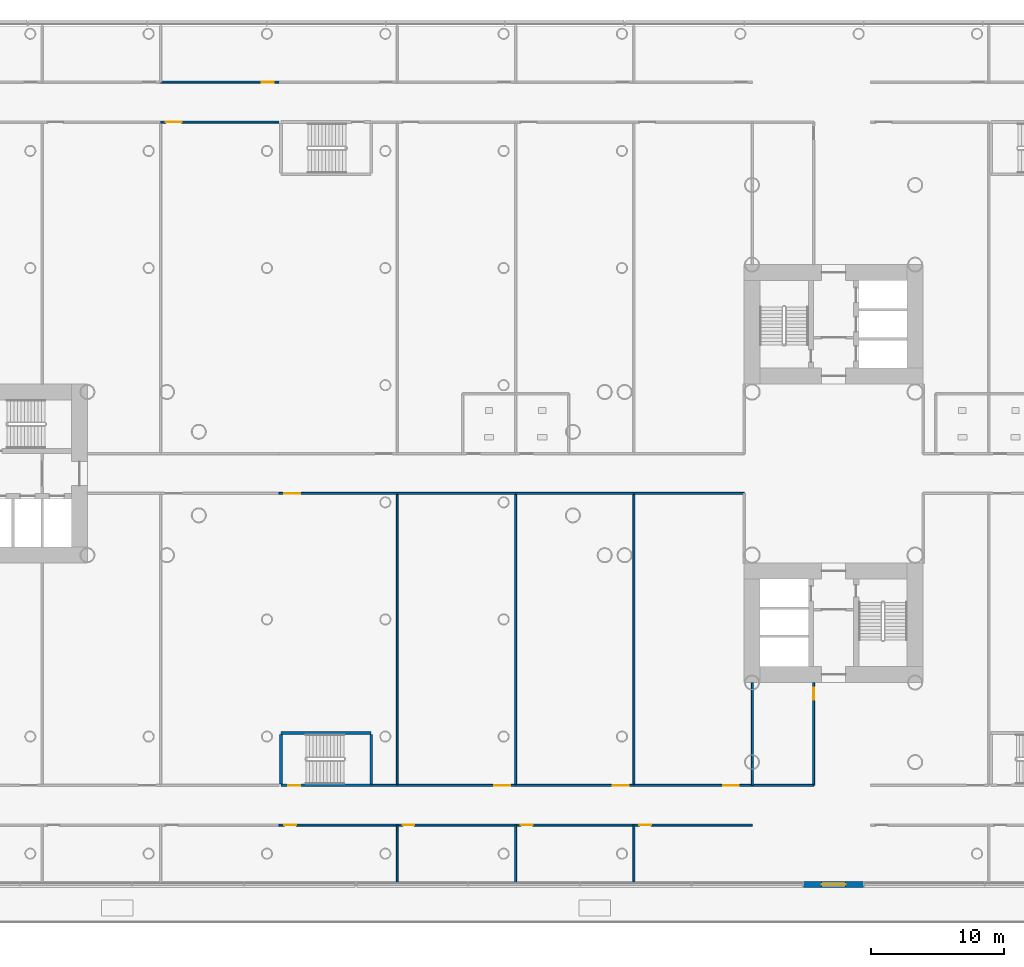
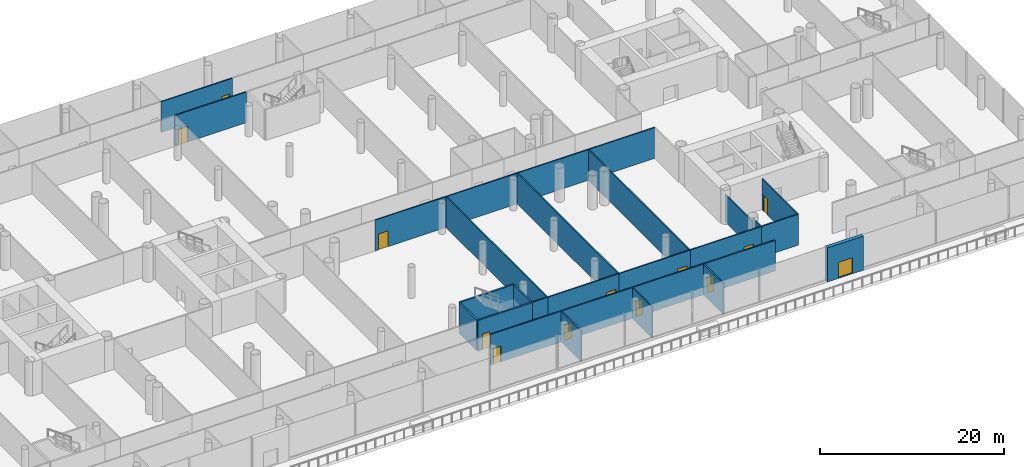
# One storey, part 20 of 49: 29 walls, 13 doors, 13 openings.
"""IFC4 building model written with IfcOpenShell, lengths in metres."""

import ifcopenshell
import ifcopenshell.guid

model = None  # the IFC model being written
_history = None  # IfcOwnerHistory: only IFC2X3 demands one
_inside = {}  # id of a spatial element -> (the spatial element, [elements in it])
_under = {}  # id of a project, library or spatial element -> (it, [spatial elements below it])
_declared = {}  # id of a project -> (the project, [libraries it declares])
_typed = {}  # id of a type object -> (the type object, [elements of that type])
_made_of = {}  # id of a material, layer set ... -> (it, [elements and type objects made of it])


def new_model(schema):
    """Start an empty IFC model of exactly this schema.

    Asked for "IFC4X3", IfcOpenShell would pick the latest addendum, in which some entities
    have other attributes; the version numbers below select the first issue.
    IFC2X3 requires an IfcOwnerHistory on every rooted entity: one is made here for all.
    """
    global model, _history
    if schema == "IFC4X3":
        model = ifcopenshell.file(schema_version=(4, 3, 0, 0))
    else:
        model = ifcopenshell.file(schema=schema)
    _inside.clear()
    _under.clear()
    _declared.clear()
    _typed.clear()
    _made_of.clear()
    _history = None
    if model.schema == "IFC2X3":
        org = make("IfcOrganization", Name="unknown")
        user = make(
            "IfcPersonAndOrganization",
            ThePerson=make("IfcPerson", FamilyName="unknown"),
            TheOrganization=org,
        )
        app = make(
            "IfcApplication",
            ApplicationDeveloper=org,
            Version="unknown",
            ApplicationFullName="unknown",
            ApplicationIdentifier="unknown",
        )
        _history = make(
            "IfcOwnerHistory",
            OwningUser=user,
            OwningApplication=app,
            ChangeAction="ADDED",
            CreationDate=0,
        )
    return model


def make(cls, **values):
    """One entity of the class cls with the attributes given. An attribute that is None is left unset."""
    return model.create_entity(
        cls, **{name: value for name, value in values.items() if value is not None}
    )


def rooted(cls, **values):
    """An entity with a GlobalId (a new one), such as an element, a storey or a relation."""
    return make(cls, GlobalId=ifcopenshell.guid.new(), OwnerHistory=_history, **values)


def si_unit(unit_type, name, prefix=None):
    """IfcSIUnit, for example si_unit("LENGTHUNIT", "METRE", prefix="MILLI")."""
    return make("IfcSIUnit", UnitType=unit_type, Prefix=prefix, Name=name)


def assignment(units):
    """IfcUnitAssignment: the units of a project."""
    return None if units is None else make("IfcUnitAssignment", Units=units)


def point(xyz):
    """IfcCartesianPoint."""
    return None if xyz is None else make("IfcCartesianPoint", Coordinates=xyz)


def direction(xyz):
    """IfcDirection."""
    return None if xyz is None else make("IfcDirection", DirectionRatios=xyz)


def frame(location, z_axis=None, x_axis=None):
    """IfcAxis2Placement3D, a coordinate frame: its origin and axes. An axis left out is left unset."""
    return make(
        "IfcAxis2Placement3D",
        Location=point(location),
        Axis=direction(z_axis),
        RefDirection=direction(x_axis),
    )


def frame_2d(location, x_axis=None):
    """IfcAxis2Placement2D, a coordinate frame in the plane: its origin and x axis."""
    return make(
        "IfcAxis2Placement2D", Location=point(location), RefDirection=direction(x_axis)
    )


def origin():
    """The frame at (0, 0, 0) with its axes left unset."""
    return frame((0.0, 0.0, 0.0))


def place(relative_to, where):
    """IfcLocalPlacement: puts the frame where relative to a parent placement (None: the world)."""
    return make(
        "IfcLocalPlacement", PlacementRelTo=relative_to, RelativePlacement=where
    )


def context(
    kind, dimensions, precision=None, world=None, true_north=None, identifier=None
):
    """IfcGeometricRepresentationContext, for example the 3D "Model" context."""
    return make(
        "IfcGeometricRepresentationContext",
        ContextIdentifier=identifier,
        ContextType=kind,
        CoordinateSpaceDimension=dimensions,
        Precision=precision,
        WorldCoordinateSystem=world,
        TrueNorth=true_north,
    )


def subcontext(parent, identifier, kind, view, scale=None):
    """IfcGeometricRepresentationSubContext, for example "Body" below "Model"."""
    return make(
        "IfcGeometricRepresentationSubContext",
        ContextIdentifier=identifier,
        ContextType=kind,
        ParentContext=parent,
        TargetScale=scale,
        TargetView=view,
    )


def project(units=None, contexts=None):
    """IfcProject with its units and contexts."""
    return rooted(
        "IfcProject",
        Name="project",
        RepresentationContexts=contexts,
        UnitsInContext=assignment(units),
    )


def spatial(cls, under=None, at=None, **own):
    """A site, building, storey or space (cls), placed at a placement, below another one or the project."""
    s = rooted(cls, ObjectPlacement=at, **own)
    if under is not None:
        _under.setdefault(under.id(), (under, []))[1].append(s)
    return s


def profile(cls, at=None, kind="AREA", **sizes):
    """A parametric profile (cls). Its sizes go by their IFC names, for example OverallWidth=200.0."""
    return make(cls, ProfileType=kind, Position=at, **sizes)


def rectangle(**sizes):
    """IfcRectangleProfileDef."""
    return profile("IfcRectangleProfileDef", **sizes)


def extrude(swept, where, along, depth):
    """IfcExtrudedAreaSolid: the profile swept, set in the frame where, extruded along a direction by depth."""
    return make(
        "IfcExtrudedAreaSolid",
        SweptArea=swept,
        Position=where,
        ExtrudedDirection=direction(along),
        Depth=depth,
    )


def shape(context_of_items, identifier, shape_type, items):
    """IfcShapeRepresentation: the items that make up one representation, for example the "Body"."""
    return make(
        "IfcShapeRepresentation",
        ContextOfItems=context_of_items,
        RepresentationIdentifier=identifier,
        RepresentationType=shape_type,
        Items=items,
    )


def material(Name=None, Category=None):
    """IfcMaterial."""
    return make("IfcMaterial", Name=Name, Category=Category)


def layer(
    of_material, thickness, ventilated=None, Name=None, Category=None, Priority=None
):
    """IfcMaterialLayer: one layer of a wall or slab, of a material (None: an air gap)."""
    return make(
        "IfcMaterialLayer",
        Material=of_material,
        LayerThickness=thickness,
        IsVentilated=ventilated,
        Name=Name,
        Category=Category,
        Priority=Priority,
    )


def layer_set(layers, Name=None):
    """IfcMaterialLayerSet."""
    return make("IfcMaterialLayerSet", MaterialLayers=layers, LayerSetName=Name)


def made_of(thing, what):
    """Note that an element or type object is made of a material, layer set ...; save() writes the relation."""
    if what is not None:
        _made_of.setdefault(what.id(), (what, []))[1].append(thing)
    return thing


def type_object(cls, material=None, **own):
    """A type object (cls), such as IfcWallType, which elements share."""
    return made_of(rooted(cls, **own), material)


def element(
    cls,
    number,
    at=None,
    inside=None,
    cuts=None,
    type_object=None,
    material=None,
    context=None,
    identifier="Body",
    shape_type=None,
    held_by="IfcProductDefinitionShape",
    body=None,
    shapes=None,
    **own,
):
    """One element of the class cls, such as IfcWall. Its Tag is "e" and its number.

    at: its placement. inside: the storey or other place that contains it. cuts: it is an
    opening in that element (IfcRelVoidsElement). A single representation is given by context,
    identifier, shape_type and body (its items); several are given by shapes. held_by: the class
    of the entity that holds the representations. save() writes the other relations.
    """
    e = rooted(cls, Tag="e%d" % number, ObjectPlacement=at, **own)
    if body is not None:
        shapes = [shape(context, identifier, shape_type, body)]
    if shapes is not None:
        e.Representation = make(held_by, Representations=shapes)
    if inside is not None:
        _inside.setdefault(inside.id(), (inside, []))[1].append(e)
    if cuts is not None:
        rooted(
            "IfcRelVoidsElement", RelatingBuildingElement=cuts, RelatedOpeningElement=e
        )
    if type_object is not None:
        _typed.setdefault(type_object.id(), (type_object, []))[1].append(e)
    return made_of(e, material)


def fill(opening, filler):
    """IfcRelFillsElement: the door or window that sits in an opening."""
    return rooted(
        "IfcRelFillsElement",
        RelatingOpeningElement=opening,
        RelatedBuildingElement=filler,
    )


def aggregate(whole, parts):
    """IfcRelAggregates: a whole, such as a stair, and the parts it consists of."""
    return rooted("IfcRelAggregates", RelatingObject=whole, RelatedObjects=parts)


def save(model, path):
    """Write the relations noted so far, then the file.

    IfcRelAggregates (storeys below a building ...), IfcRelContainedInSpatialStructure (elements
    in a storey), IfcRelDefinesByType, IfcRelAssociatesMaterial and IfcRelDeclares: one each for
    every whole, place, type object, material and project.
    """
    for whole, parts in _under.values():
        aggregate(whole, parts)
    for where, things in _inside.values():
        rooted(
            "IfcRelContainedInSpatialStructure",
            RelatedElements=things,
            RelatingStructure=where,
        )
    for kind, things in _typed.values():
        rooted("IfcRelDefinesByType", RelatedObjects=things, RelatingType=kind)
    for what, things in _made_of.values():
        rooted("IfcRelAssociatesMaterial", RelatedObjects=things, RelatingMaterial=what)
    for by, libraries in _declared.values():
        rooted("IfcRelDeclares", RelatingContext=by, RelatedDefinitions=libraries)
    model.write(path)


model = new_model("IFC4")

# Units and contexts
model_context = context("Model", 3, precision=1e-05, world=origin(), true_north=direction((0.0, 1.0)))
body_context = subcontext(model_context, "Body", "Model", "MODEL_VIEW")
ifc_project = project(units=[si_unit("LENGTHUNIT", "METRE"), si_unit("AREAUNIT", "SQUARE_METRE"), si_unit("VOLUMEUNIT", "CUBIC_METRE"), si_unit("PLANEANGLEUNIT", "RADIAN"), si_unit("MASSUNIT", "GRAM", prefix="KILO")], contexts=[model_context])

# Site, building, storey
site_placement = place(None, origin())
site = spatial("IfcSite", under=ifc_project, at=site_placement, CompositionType="ELEMENT")
building_placement = place(site_placement, origin())
building = spatial("IfcBuilding", under=site, at=building_placement, Name="Ipe Terrace Towers", CompositionType="ELEMENT")
storey_placement = place(building_placement, frame((0.0, 0.0, 20.0)))
storey = spatial("IfcBuildingStorey", under=building, at=storey_placement, Name="L04", CompositionType="ELEMENT", Elevation=20.0)

# Wall, opening, door
ifc_material_1 = material(Name="Gypsum board partition", Category="plasterboard")
ifc_layer_1 = layer(ifc_material_1, 0.14990234375)
ifc_layer_set_1 = layer_set([ifc_layer_1], Name="Gypsum board partition 150 mm")
wall_type_1 = type_object("IfcWallType", Name="Gypsum board partition 150 mm", PredefinedType="PARTITIONING", material=ifc_layer_set_1)
wall_1_placement = place(storey_placement, frame((-14.72998046875, 26.5, 0.0), z_axis=(0.0, 0.0, 1.0), x_axis=(1.0, 0.0, 0.0)))
wall_1 = element("IfcWall", 1, at=wall_1_placement, inside=storey, type_object=wall_type_1, Name="Gypsum board partition T1 L04 pd-r26-w64", PredefinedType="PARTITIONING", context=body_context, shape_type="SweptSolid", body=[
    extrude(rectangle(XDim=8.919921875, YDim=0.14990234375, at=frame_2d((4.4599609375, 0.0))), origin(), (0.0, 0.0, 1.0), 4.074951171875),
])
opening_1_placement = place(wall_1_placement, frame((0.39990234375, 0.0, 0.0)))
opening_1 = element("IfcOpeningElement", 2, at=opening_1_placement, cuts=wall_1, Name="Opening PD-L04-r26", PredefinedType="OPENING", context=body_context, shape_type="SweptSolid", body=[
    extrude(rectangle(XDim=1.199951171875, YDim=2.10009765625, at=frame_2d((0.60009765625, 1.050048828125))), frame((0.0, 0.0849609375, 0.0), z_axis=(0.0, -1.0, 0.0), x_axis=(1.0, 0.0, 0.0)), (0.0, 0.0, 1.0), 0.169921875),
])
ifc_material_2 = material(Name="Fire-rated timber door leaf", Category="wood")
door_type_1 = type_object("IfcDoorType", Name="Lounge door 1200 x 2100 FD30S", OperationType="NOTDEFINED", PredefinedType="DOOR", material=ifc_material_2)
door_1_placement = place(opening_1_placement, origin())
door_1 = element("IfcDoor", 3, at=door_1_placement, inside=storey, type_object=door_type_1, Name="Lounge door PD-L04-r26", OperationType="SINGLE_SWING_RIGHT", OverallHeight=2.10009765625, OverallWidth=1.199951171875, PredefinedType="DOOR", context=body_context, shape_type="SweptSolid", body=[
    extrude(rectangle(XDim=1.199951171875, YDim=2.10009765625, at=frame_2d((0.60009765625, 1.050048828125))), frame((0.0, 0.02490234375, 0.0), z_axis=(0.0, -1.0, 0.0), x_axis=(1.0, 0.0, 0.0)), (0.0, 0.0, 1.0), 0.050048828125),
])
fill(opening_1, door_1)

wall_2_placement = place(storey_placement, frame((-5.81005859375, 29.5, 0.0), z_axis=(0.0, 0.0, 1.0), x_axis=(-1.0, 0.0, 0.0)))
wall_2 = element("IfcWall", 4, at=wall_2_placement, inside=storey, type_object=wall_type_1, Name="Gypsum board partition T1 L04 pd-r27-w66", PredefinedType="PARTITIONING", context=body_context, shape_type="SweptSolid", body=[
    extrude(rectangle(XDim=8.919921875, YDim=0.14990234375, at=frame_2d((4.4599609375, 0.0))), origin(), (0.0, 0.0, 1.0), 4.074951171875),
])
opening_2_placement = place(wall_2_placement, frame((0.39990234375, 0.0, 0.0)))
opening_2 = element("IfcOpeningElement", 5, at=opening_2_placement, cuts=wall_2, Name="Opening PD-L04-r27", PredefinedType="OPENING", context=body_context, shape_type="SweptSolid", body=[
    extrude(rectangle(XDim=0.89990234375, YDim=2.10009765625, at=frame_2d((0.449951171875, 1.050048828125))), frame((0.0, 0.0849609375, 0.0), z_axis=(0.0, -1.0, 0.0), x_axis=(1.0, 0.0, 0.0)), (0.0, 0.0, 1.0), 0.169921875),
])
ifc_material_3 = material(Name="Fire-rated timber door leaf", Category="wood")
door_type_2 = type_object("IfcDoorType", Name="Lounge door 900 x 2100 FD30S", OperationType="NOTDEFINED", PredefinedType="DOOR", material=ifc_material_3)
door_2_placement = place(opening_2_placement, origin())
door_2 = element("IfcDoor", 6, at=door_2_placement, inside=storey, type_object=door_type_2, Name="Lounge door PD-L04-r27", OperationType="SINGLE_SWING_RIGHT", OverallHeight=2.10009765625, OverallWidth=0.89990234375, PredefinedType="DOOR", context=body_context, shape_type="SweptSolid", body=[
    extrude(rectangle(XDim=0.89990234375, YDim=2.10009765625, at=frame_2d((0.449951171875, 1.050048828125))), frame((0.0, 0.02490234375, 0.0), z_axis=(0.0, -1.0, 0.0), x_axis=(1.0, 0.0, 0.0)), (0.0, 0.0, 1.0), 0.050048828125),
])
fill(opening_2, door_2)

wall_3_placement = place(storey_placement, frame((-5.81005859375, -26.5, 0.0), z_axis=(0.0, 0.0, 1.0), x_axis=(1.0, 0.0, 0.0)))
wall_3 = element("IfcWall", 7, at=wall_3_placement, inside=storey, type_object=wall_type_1, Name="Gypsum board partition T2 L04 pd-r28-w0", PredefinedType="PARTITIONING", context=body_context, shape_type="SweptSolid", body=[
    extrude(rectangle(XDim=8.920166015625, YDim=0.14990234375, at=frame_2d((4.4599609375, 0.0))), origin(), (0.0, 0.0, 1.0), 4.074951171875),
])
opening_3_placement = place(wall_3_placement, frame((0.39990234375, 0.0, 0.0)))
opening_3 = element("IfcOpeningElement", 8, at=opening_3_placement, cuts=wall_3, Name="Opening PD-L04-r28", PredefinedType="OPENING", context=body_context, shape_type="SweptSolid", body=[
    extrude(rectangle(XDim=0.89990234375, YDim=2.10009765625, at=frame_2d((0.449951171875, 1.050048828125))), frame((0.0, 0.0849609375, 0.0), z_axis=(0.0, -1.0, 0.0), x_axis=(1.0, 0.0, 0.0)), (0.0, 0.0, 1.0), 0.169921875),
])
door_3_placement = place(opening_3_placement, origin())
door_3 = element("IfcDoor", 9, at=door_3_placement, inside=storey, type_object=door_type_2, Name="Lounge door PD-L04-r28", OperationType="SINGLE_SWING_RIGHT", OverallHeight=2.10009765625, OverallWidth=0.89990234375, PredefinedType="DOOR", context=body_context, shape_type="SweptSolid", body=[
    extrude(rectangle(XDim=0.89990234375, YDim=2.10009765625, at=frame_2d((0.449951171875, 1.050048828125))), frame((0.0, 0.02490234375, 0.0), z_axis=(0.0, -1.0, 0.0), x_axis=(1.0, 0.0, 0.0)), (0.0, 0.0, 1.0), 0.050048828125),
])
fill(opening_3, door_3)

# Wall
wall_4_placement = place(storey_placement, frame((3.110107421875, -26.5, 0.0), z_axis=(0.0, 0.0, 1.0), x_axis=(0.0, -1.0, 0.0)))
element("IfcWall", 10, at=wall_4_placement, inside=storey, type_object=wall_type_1, Name="Gypsum board partition T2 L04 pd-r28-r33-w1", PredefinedType="PARTITIONING", context=body_context, shape_type="SweptSolid", body=[
    extrude(rectangle(XDim=4.35009765625, YDim=0.14990234375, at=frame_2d((2.175048828125, 0.0))), origin(), (0.0, 0.0, 1.0), 4.074951171875),
])

# Wall, opening, door
wall_5_placement = place(storey_placement, frame((-5.81005859375, -1.5, 0.0), z_axis=(0.0, 0.0, 1.0), x_axis=(1.0, 0.0, 0.0)))
wall_5 = element("IfcWall", 11, at=wall_5_placement, inside=storey, type_object=wall_type_1, Name="Gypsum board partition T2 L04 pd-r30-w4", PredefinedType="PARTITIONING", context=body_context, shape_type="SweptSolid", body=[
    extrude(rectangle(XDim=8.920166015625, YDim=0.14990234375, at=frame_2d((4.4599609375, 0.0))), origin(), (0.0, 0.0, 1.0), 4.074951171875),
])
opening_4_placement = place(wall_5_placement, frame((0.39990234375, 0.0, 0.0)))
opening_4 = element("IfcOpeningElement", 12, at=opening_4_placement, cuts=wall_5, Name="Opening PD-L04-r30", PredefinedType="OPENING", context=body_context, shape_type="SweptSolid", body=[
    extrude(rectangle(XDim=1.199951171875, YDim=2.10009765625, at=frame_2d((0.60009765625, 1.050048828125))), frame((0.0, 0.0849609375, 0.0), z_axis=(0.0, -1.0, 0.0), x_axis=(1.0, 0.0, 0.0)), (0.0, 0.0, 1.0), 0.169921875),
])
door_4_placement = place(opening_4_placement, origin())
door_4 = element("IfcDoor", 13, at=door_4_placement, inside=storey, type_object=door_type_1, Name="Lounge door PD-L04-r30", OperationType="SINGLE_SWING_RIGHT", OverallHeight=2.10009765625, OverallWidth=1.199951171875, PredefinedType="DOOR", context=body_context, shape_type="SweptSolid", body=[
    extrude(rectangle(XDim=1.199951171875, YDim=2.10009765625, at=frame_2d((0.60009765625, 1.050048828125))), frame((0.0, 0.02490234375, 0.0), z_axis=(0.0, -1.0, 0.0), x_axis=(1.0, 0.0, 0.0)), (0.0, 0.0, 1.0), 0.050048828125),
])
fill(opening_4, door_4)

# Walls
wall_6_placement = place(storey_placement, frame((3.110107421875, -23.5, 0.0), z_axis=(0.0, 0.0, 1.0), x_axis=(-1.0, 0.0, 0.0)))
element("IfcWall", 14, at=wall_6_placement, inside=storey, type_object=wall_type_1, Name="Gypsum board partition T2 L04 pd-r30-w5", PredefinedType="PARTITIONING", context=body_context, shape_type="SweptSolid", body=[
    extrude(rectangle(XDim=1.960205078125, YDim=0.14990234375, at=frame_2d((0.97998046875, 0.0))), origin(), (0.0, 0.0, 1.0), 4.074951171875),
])
wall_7_placement = place(storey_placement, frame((3.110107421875, -1.5, 0.0), z_axis=(0.0, 0.0, 1.0), x_axis=(0.0, -1.0, 0.0)))
element("IfcWall", 15, at=wall_7_placement, inside=storey, type_object=wall_type_1, Name="Gypsum board partition T2 L04 pd-r30-r34-w6", PredefinedType="PARTITIONING", context=body_context, shape_type="SweptSolid", body=[
    extrude(rectangle(XDim=22.0, YDim=0.14990234375, at=frame_2d((11.0, 0.0))), origin(), (0.0, 0.0, 1.0), 4.074951171875),
])

# Wall, opening, door
wall_8_placement = place(storey_placement, frame((3.110107421875, -26.5, 0.0), z_axis=(0.0, 0.0, 1.0), x_axis=(1.0, 0.0, 0.0)))
wall_8 = element("IfcWall", 16, at=wall_8_placement, inside=storey, type_object=wall_type_1, Name="Gypsum board partition T2 L04 pd-r33-w13", PredefinedType="PARTITIONING", context=body_context, shape_type="SweptSolid", body=[
    extrude(rectangle(XDim=8.919921875, YDim=0.14990234375, at=frame_2d((4.4599609375, 0.0))), origin(), (0.0, 0.0, 1.0), 4.074951171875),
])
opening_5_placement = place(wall_8_placement, frame((0.39990234375, 0.0, 0.0)))
opening_5 = element("IfcOpeningElement", 17, at=opening_5_placement, cuts=wall_8, Name="Opening PD-L04-r33", PredefinedType="OPENING", context=body_context, shape_type="SweptSolid", body=[
    extrude(rectangle(XDim=0.89990234375, YDim=2.10009765625, at=frame_2d((0.449951171875, 1.050048828125))), frame((0.0, 0.0849609375, 0.0), z_axis=(0.0, -1.0, 0.0), x_axis=(1.0, 0.0, 0.0)), (0.0, 0.0, 1.0), 0.169921875),
])
door_5_placement = place(opening_5_placement, origin())
door_5 = element("IfcDoor", 18, at=door_5_placement, inside=storey, type_object=door_type_2, Name="Lounge door PD-L04-r33", OperationType="SINGLE_SWING_RIGHT", OverallHeight=2.10009765625, OverallWidth=0.89990234375, PredefinedType="DOOR", context=body_context, shape_type="SweptSolid", body=[
    extrude(rectangle(XDim=0.89990234375, YDim=2.10009765625, at=frame_2d((0.449951171875, 1.050048828125))), frame((0.0, 0.02490234375, 0.0), z_axis=(0.0, -1.0, 0.0), x_axis=(1.0, 0.0, 0.0)), (0.0, 0.0, 1.0), 0.050048828125),
])
fill(opening_5, door_5)

# Wall
wall_9_placement = place(storey_placement, frame((12.030029296875, -26.5, 0.0), z_axis=(0.0, 0.0, 1.0), x_axis=(0.0, -1.0, 0.0)))
element("IfcWall", 19, at=wall_9_placement, inside=storey, type_object=wall_type_1, Name="Gypsum board partition T2 L04 pd-r33-r36-w14", PredefinedType="PARTITIONING", context=body_context, shape_type="SweptSolid", body=[
    extrude(rectangle(XDim=4.35009765625, YDim=0.14990234375, at=frame_2d((2.175048828125, 0.0))), origin(), (0.0, 0.0, 1.0), 4.074951171875),
])

# Wall, opening, door
wall_10_placement = place(storey_placement, frame((12.030029296875, -23.5, 0.0), z_axis=(0.0, 0.0, 1.0), x_axis=(-1.0, 0.0, 0.0)))
wall_10 = element("IfcWall", 20, at=wall_10_placement, inside=storey, type_object=wall_type_1, Name="Gypsum board partition T2 L04 pd-r34-w15", PredefinedType="PARTITIONING", context=body_context, shape_type="SweptSolid", body=[
    extrude(rectangle(XDim=8.919921875, YDim=0.14990234375, at=frame_2d((4.4599609375, 0.0))), origin(), (0.0, 0.0, 1.0), 4.074951171875),
])
opening_6_placement = place(wall_10_placement, frame((0.39990234375, 0.0, 0.0)))
opening_6 = element("IfcOpeningElement", 21, at=opening_6_placement, cuts=wall_10, Name="Opening PD-L04-r34", PredefinedType="OPENING", context=body_context, shape_type="SweptSolid", body=[
    extrude(rectangle(XDim=1.199951171875, YDim=2.10009765625, at=frame_2d((0.60009765625, 1.050048828125))), frame((0.0, 0.0849609375, 0.0), z_axis=(0.0, -1.0, 0.0), x_axis=(1.0, 0.0, 0.0)), (0.0, 0.0, 1.0), 0.169921875),
])
door_6_placement = place(opening_6_placement, origin())
door_6 = element("IfcDoor", 22, at=door_6_placement, inside=storey, type_object=door_type_1, Name="Lounge door PD-L04-r34", OperationType="SINGLE_SWING_RIGHT", OverallHeight=2.10009765625, OverallWidth=1.199951171875, PredefinedType="DOOR", context=body_context, shape_type="SweptSolid", body=[
    extrude(rectangle(XDim=1.199951171875, YDim=2.10009765625, at=frame_2d((0.60009765625, 1.050048828125))), frame((0.0, 0.02490234375, 0.0), z_axis=(0.0, -1.0, 0.0), x_axis=(1.0, 0.0, 0.0)), (0.0, 0.0, 1.0), 0.050048828125),
])
fill(opening_6, door_6)

# Walls
wall_11_placement = place(storey_placement, frame((3.110107421875, -1.5, 0.0), z_axis=(0.0, 0.0, 1.0), x_axis=(1.0, 0.0, 0.0)))
element("IfcWall", 23, at=wall_11_placement, inside=storey, type_object=wall_type_1, Name="Gypsum board partition T2 L04 pd-r34-w16", PredefinedType="PARTITIONING", context=body_context, shape_type="SweptSolid", body=[
    extrude(rectangle(XDim=8.919921875, YDim=0.14990234375, at=frame_2d((4.4599609375, 0.0))), origin(), (0.0, 0.0, 1.0), 4.074951171875),
])
wall_12_placement = place(storey_placement, frame((12.030029296875, -1.5, 0.0), z_axis=(0.0, 0.0, 1.0), x_axis=(0.0, -1.0, 0.0)))
element("IfcWall", 24, at=wall_12_placement, inside=storey, type_object=wall_type_1, Name="Gypsum board partition T2 L04 pd-r34-r37-w17", PredefinedType="PARTITIONING", context=body_context, shape_type="SweptSolid", body=[
    extrude(rectangle(XDim=22.0, YDim=0.14990234375, at=frame_2d((11.0, 0.0))), origin(), (0.0, 0.0, 1.0), 4.074951171875),
])

# Wall, opening, door
wall_13_placement = place(storey_placement, frame((12.030029296875, -26.5, 0.0), z_axis=(0.0, 0.0, 1.0), x_axis=(1.0, 0.0, 0.0)))
wall_13 = element("IfcWall", 25, at=wall_13_placement, inside=storey, type_object=wall_type_1, Name="Gypsum board partition T2 L04 pd-r36-w20", PredefinedType="PARTITIONING", context=body_context, shape_type="SweptSolid", body=[
    extrude(rectangle(XDim=8.919921875, YDim=0.14990234375, at=frame_2d((4.4599609375, 0.0))), origin(), (0.0, 0.0, 1.0), 4.074951171875),
])
opening_7_placement = place(wall_13_placement, frame((0.39990234375, 0.0, 0.0)))
opening_7 = element("IfcOpeningElement", 26, at=opening_7_placement, cuts=wall_13, Name="Opening PD-L04-r36", PredefinedType="OPENING", context=body_context, shape_type="SweptSolid", body=[
    extrude(rectangle(XDim=0.89990234375, YDim=2.10009765625, at=frame_2d((0.449951171875, 1.050048828125))), frame((0.0, 0.0849609375, 0.0), z_axis=(0.0, -1.0, 0.0), x_axis=(1.0, 0.0, 0.0)), (0.0, 0.0, 1.0), 0.169921875),
])
door_7_placement = place(opening_7_placement, origin())
door_7 = element("IfcDoor", 27, at=door_7_placement, inside=storey, type_object=door_type_2, Name="Lounge door PD-L04-r36", OperationType="SINGLE_SWING_RIGHT", OverallHeight=2.10009765625, OverallWidth=0.89990234375, PredefinedType="DOOR", context=body_context, shape_type="SweptSolid", body=[
    extrude(rectangle(XDim=0.89990234375, YDim=2.10009765625, at=frame_2d((0.449951171875, 1.050048828125))), frame((0.0, 0.02490234375, 0.0), z_axis=(0.0, -1.0, 0.0), x_axis=(1.0, 0.0, 0.0)), (0.0, 0.0, 1.0), 0.050048828125),
])
fill(opening_7, door_7)

# Wall
wall_14_placement = place(storey_placement, frame((20.949951171875, -26.5, 0.0), z_axis=(0.0, 0.0, 1.0), x_axis=(0.0, -1.0, 0.0)))
element("IfcWall", 28, at=wall_14_placement, inside=storey, type_object=wall_type_1, Name="Gypsum board partition T2 L04 pd-r36-r42-w21", PredefinedType="PARTITIONING", context=body_context, shape_type="SweptSolid", body=[
    extrude(rectangle(XDim=4.35009765625, YDim=0.14990234375, at=frame_2d((2.175048828125, 0.0))), origin(), (0.0, 0.0, 1.0), 4.074951171875),
])

# Wall, opening, door
wall_15_placement = place(storey_placement, frame((20.949951171875, -23.5, 0.0), z_axis=(0.0, 0.0, 1.0), x_axis=(-1.0, 0.0, 0.0)))
wall_15 = element("IfcWall", 29, at=wall_15_placement, inside=storey, type_object=wall_type_1, Name="Gypsum board partition T2 L04 pd-r37-w22", PredefinedType="PARTITIONING", context=body_context, shape_type="SweptSolid", body=[
    extrude(rectangle(XDim=8.919921875, YDim=0.14990234375, at=frame_2d((4.4599609375, 0.0))), origin(), (0.0, 0.0, 1.0), 4.074951171875),
])
opening_8_placement = place(wall_15_placement, frame((0.39990234375, 0.0, 0.0)))
opening_8 = element("IfcOpeningElement", 30, at=opening_8_placement, cuts=wall_15, Name="Opening PD-L04-r37", PredefinedType="OPENING", context=body_context, shape_type="SweptSolid", body=[
    extrude(rectangle(XDim=1.199951171875, YDim=2.10009765625, at=frame_2d((0.60009765625, 1.050048828125))), frame((0.0, 0.0849609375, 0.0), z_axis=(0.0, -1.0, 0.0), x_axis=(1.0, 0.0, 0.0)), (0.0, 0.0, 1.0), 0.169921875),
])
door_8_placement = place(opening_8_placement, origin())
door_8 = element("IfcDoor", 31, at=door_8_placement, inside=storey, type_object=door_type_1, Name="Lounge door PD-L04-r37", OperationType="SINGLE_SWING_RIGHT", OverallHeight=2.10009765625, OverallWidth=1.199951171875, PredefinedType="DOOR", context=body_context, shape_type="SweptSolid", body=[
    extrude(rectangle(XDim=1.199951171875, YDim=2.10009765625, at=frame_2d((0.60009765625, 1.050048828125))), frame((0.0, 0.02490234375, 0.0), z_axis=(0.0, -1.0, 0.0), x_axis=(1.0, 0.0, 0.0)), (0.0, 0.0, 1.0), 0.050048828125),
])
fill(opening_8, door_8)

# Walls
wall_16_placement = place(storey_placement, frame((12.030029296875, -1.5, 0.0), z_axis=(0.0, 0.0, 1.0), x_axis=(1.0, 0.0, 0.0)))
element("IfcWall", 32, at=wall_16_placement, inside=storey, type_object=wall_type_1, Name="Gypsum board partition T2 L04 pd-r37-w23", PredefinedType="PARTITIONING", context=body_context, shape_type="SweptSolid", body=[
    extrude(rectangle(XDim=8.919921875, YDim=0.14990234375, at=frame_2d((4.4599609375, 0.0))), origin(), (0.0, 0.0, 1.0), 4.074951171875),
])
wall_17_placement = place(storey_placement, frame((20.949951171875, -1.5, 0.0), z_axis=(0.0, 0.0, 1.0), x_axis=(0.0, -1.0, 0.0)))
element("IfcWall", 33, at=wall_17_placement, inside=storey, type_object=wall_type_1, Name="Gypsum board partition T2 L04 pd-r37-r40-w24", PredefinedType="PARTITIONING", context=body_context, shape_type="SweptSolid", body=[
    extrude(rectangle(XDim=22.0, YDim=0.14990234375, at=frame_2d((11.0, 0.0))), origin(), (0.0, 0.0, 1.0), 4.074951171875),
])

# Wall, opening, door
wall_18_placement = place(storey_placement, frame((29.8701171875, -23.5, 0.0), z_axis=(0.0, 0.0, 1.0), x_axis=(-1.0, 0.0, 0.0)))
wall_18 = element("IfcWall", 34, at=wall_18_placement, inside=storey, type_object=wall_type_1, Name="Gypsum board partition T2 L04 pd-r40-w31", PredefinedType="PARTITIONING", context=body_context, shape_type="SweptSolid", body=[
    extrude(rectangle(XDim=8.920166015625, YDim=0.14990234375, at=frame_2d((4.4599609375, 0.0))), origin(), (0.0, 0.0, 1.0), 4.074951171875),
])
opening_9_placement = place(wall_18_placement, frame((1.0, 0.0, 0.0)))
opening_9 = element("IfcOpeningElement", 35, at=opening_9_placement, cuts=wall_18, Name="Opening PD-L04-r40", PredefinedType="OPENING", context=body_context, shape_type="SweptSolid", body=[
    extrude(rectangle(XDim=1.199951171875, YDim=2.10009765625, at=frame_2d((0.60009765625, 1.050048828125))), frame((0.0, 0.0849609375, 0.0), z_axis=(0.0, -1.0, 0.0), x_axis=(1.0, 0.0, 0.0)), (0.0, 0.0, 1.0), 0.169921875),
])
door_9_placement = place(opening_9_placement, origin())
door_9 = element("IfcDoor", 36, at=door_9_placement, inside=storey, type_object=door_type_1, Name="Lounge door PD-L04-r40", OperationType="SINGLE_SWING_RIGHT", OverallHeight=2.10009765625, OverallWidth=1.199951171875, PredefinedType="DOOR", context=body_context, shape_type="SweptSolid", body=[
    extrude(rectangle(XDim=1.199951171875, YDim=2.10009765625, at=frame_2d((0.60009765625, 1.050048828125))), frame((0.0, 0.02490234375, 0.0), z_axis=(0.0, -1.0, 0.0), x_axis=(1.0, 0.0, 0.0)), (0.0, 0.0, 1.0), 0.050048828125),
])
fill(opening_9, door_9)

# Walls
wall_19_placement = place(storey_placement, frame((20.949951171875, -1.5, 0.0), z_axis=(0.0, 0.0, 1.0), x_axis=(1.0, 0.0, 0.0)))
element("IfcWall", 37, at=wall_19_placement, inside=storey, type_object=wall_type_1, Name="Gypsum board partition T2 L04 pd-r40-w32", PredefinedType="PARTITIONING", context=body_context, shape_type="SweptSolid", body=[
    extrude(rectangle(XDim=8.300048828125, YDim=0.14990234375, at=frame_2d((4.14990234375, 0.0))), origin(), (0.0, 0.0, 1.0), 4.074951171875),
])
wall_20_placement = place(storey_placement, frame((29.8701171875, -15.75, 0.0), z_axis=(0.0, 0.0, 1.0), x_axis=(0.0, -1.0, 0.0)))
element("IfcWall", 38, at=wall_20_placement, inside=storey, type_object=wall_type_1, Name="Gypsum board partition T2 L04 pd-r40-r44-w33", PredefinedType="PARTITIONING", context=body_context, shape_type="SweptSolid", body=[
    extrude(rectangle(XDim=6.0, YDim=0.14990234375, at=frame_2d((3.0, 0.0))), origin(), (0.0, 0.0, 1.0), 3.64990234375),
])
wall_21_placement = place(storey_placement, frame((29.8701171875, -21.75, 0.0), z_axis=(0.0, 0.0, 1.0), x_axis=(0.0, -1.0, 0.0)))
element("IfcWall", 39, at=wall_21_placement, inside=storey, type_object=wall_type_1, Name="Gypsum board partition T2 L04 pd-r40-r44-w33-2", PredefinedType="PARTITIONING", context=body_context, shape_type="SweptSolid", body=[
    extrude(rectangle(XDim=1.75, YDim=0.14990234375, at=frame_2d((0.875, 0.0))), origin(), (0.0, 0.0, 1.0), 4.074951171875),
])

# Wall, opening, door
wall_22_placement = place(storey_placement, frame((20.949951171875, -26.5, 0.0), z_axis=(0.0, 0.0, 1.0), x_axis=(1.0, 0.0, 0.0)))
wall_22 = element("IfcWall", 40, at=wall_22_placement, inside=storey, type_object=wall_type_1, Name="Gypsum board partition T2 L04 pd-r42-w38", PredefinedType="PARTITIONING", context=body_context, shape_type="SweptSolid", body=[
    extrude(rectangle(XDim=8.920166015625, YDim=0.14990234375, at=frame_2d((4.4599609375, 0.0))), origin(), (0.0, 0.0, 1.0), 4.074951171875),
])
opening_10_placement = place(wall_22_placement, frame((0.39990234375, 0.0, 0.0)))
opening_10 = element("IfcOpeningElement", 41, at=opening_10_placement, cuts=wall_22, Name="Opening PD-L04-r42", PredefinedType="OPENING", context=body_context, shape_type="SweptSolid", body=[
    extrude(rectangle(XDim=0.89990234375, YDim=2.10009765625, at=frame_2d((0.449951171875, 1.050048828125))), frame((0.0, 0.0849609375, 0.0), z_axis=(0.0, -1.0, 0.0), x_axis=(1.0, 0.0, 0.0)), (0.0, 0.0, 1.0), 0.169921875),
])
door_10_placement = place(opening_10_placement, origin())
door_10 = element("IfcDoor", 42, at=door_10_placement, inside=storey, type_object=door_type_2, Name="Lounge door PD-L04-r42", OperationType="SINGLE_SWING_RIGHT", OverallHeight=2.10009765625, OverallWidth=0.89990234375, PredefinedType="DOOR", context=body_context, shape_type="SweptSolid", body=[
    extrude(rectangle(XDim=0.89990234375, YDim=2.10009765625, at=frame_2d((0.449951171875, 1.050048828125))), frame((0.0, 0.02490234375, 0.0), z_axis=(0.0, -1.0, 0.0), x_axis=(1.0, 0.0, 0.0)), (0.0, 0.0, 1.0), 0.050048828125),
])
fill(opening_10, door_10)

wall_23_placement = place(storey_placement, frame((34.5, -15.75, 0.0), z_axis=(0.0, 0.0, 1.0), x_axis=(0.0, -1.0, 0.0)))
wall_23 = element("IfcWall", 43, at=wall_23_placement, inside=storey, type_object=wall_type_1, Name="Gypsum board partition T2 L04 pd-r44-w40", PredefinedType="PARTITIONING", context=body_context, shape_type="SweptSolid", body=[
    extrude(rectangle(XDim=7.75, YDim=0.14990234375, at=frame_2d((3.875, 0.0))), origin(), (0.0, 0.0, 1.0), 4.074951171875),
])
opening_11_placement = place(wall_23_placement, frame((0.39990234375, 0.0, 0.0)))
opening_11 = element("IfcOpeningElement", 44, at=opening_11_placement, cuts=wall_23, Name="Opening PD-L04-r44", PredefinedType="OPENING", context=body_context, shape_type="SweptSolid", body=[
    extrude(rectangle(XDim=0.89990234375, YDim=2.10009765625, at=frame_2d((0.449951171875, 1.050048828125))), frame((0.0, 0.0849609375, 0.0), z_axis=(0.0, -1.0, 0.0), x_axis=(1.0, 0.0, 0.0)), (0.0, 0.0, 1.0), 0.169921875),
])
door_11_placement = place(opening_11_placement, origin())
door_11 = element("IfcDoor", 45, at=door_11_placement, inside=storey, type_object=door_type_2, Name="Lounge door PD-L04-r44", OperationType="SINGLE_SWING_RIGHT", OverallHeight=2.10009765625, OverallWidth=0.89990234375, PredefinedType="DOOR", context=body_context, shape_type="SweptSolid", body=[
    extrude(rectangle(XDim=0.89990234375, YDim=2.10009765625, at=frame_2d((0.449951171875, 1.050048828125))), frame((0.0, 0.02490234375, 0.0), z_axis=(0.0, -1.0, 0.0), x_axis=(1.0, 0.0, 0.0)), (0.0, 0.0, 1.0), 0.050048828125),
])
fill(opening_11, door_11)

# Wall
wall_24_placement = place(storey_placement, frame((34.5, -23.5, 0.0), z_axis=(0.0, 0.0, 1.0), x_axis=(-1.0, 0.0, 0.0)))
element("IfcWall", 46, at=wall_24_placement, inside=storey, type_object=wall_type_1, Name="Gypsum board partition T2 L04 pd-r44-w41", PredefinedType="PARTITIONING", context=body_context, shape_type="SweptSolid", body=[
    extrude(rectangle(XDim=4.6298828125, YDim=0.14990234375, at=frame_2d((2.31494140625, 0.0))), origin(), (0.0, 0.0, 1.0), 4.074951171875),
])

# Wall, opening, door
ifc_material_4 = material(Name="Concrete C40/50 with buff precast cladding", Category="concrete")
ifc_layer_2 = layer(ifc_material_4, 0.43994140625)
ifc_layer_set_2 = layer_set([ifc_layer_2], Name="PODIUM CLADDING WALL 440")
wall_type_2 = type_object("IfcWallType", Name="PODIUM CLADDING WALL 440", PredefinedType="STANDARD", material=ifc_layer_set_2)
wall_25_placement = place(storey_placement, frame((33.75, -30.969970703125, -0.02001953125), z_axis=(0.0, 0.0, 1.0), x_axis=(1.0, 0.0, 0.0)))
wall_25 = element("IfcWall", 47, at=wall_25_placement, inside=storey, type_object=wall_type_2, Name="POD-W-L04-03e wall", PredefinedType="STANDARD", context=body_context, shape_type="SweptSolid", body=[
    extrude(rectangle(XDim=4.5, YDim=0.43994140625, at=frame_2d((2.25, 0.0))), origin(), (0.0, 0.0, 1.0), 4.52001953125),
])
opening_12_placement = place(wall_25_placement, frame((1.35009765625, 0.0, 0.02001953125)))
opening_12 = element("IfcOpeningElement", 48, at=opening_12_placement, cuts=wall_25, Name="Opening POD-D-L04-01", PredefinedType="OPENING", context=body_context, shape_type="SweptSolid", body=[
    extrude(rectangle(XDim=1.800048828125, YDim=2.10009765625, at=frame_2d((0.89990234375, 1.050048828125))), frame((0.0, 0.22998046875, 0.0), z_axis=(0.0, -1.0, 0.0), x_axis=(1.0, 0.0, 0.0)), (0.0, 0.0, 1.0), 0.4599609375),
])
ifc_material_5 = material(Name="Aluminium alloy 6063-T6 framed glazed door", Category="aluminium")
door_type_3 = type_object("IfcDoorType", Name="PODIUM TERRACE DOOR 1800 x 2100", OperationType="DOUBLE_DOOR_SINGLE_SWING", PredefinedType="DOOR", material=ifc_material_5)
door_12_placement = place(opening_12_placement, origin())
door_12 = element("IfcDoor", 49, at=door_12_placement, inside=storey, type_object=door_type_3, Name="DT2 terrace door", OperationType="DOUBLE_DOOR_SINGLE_SWING", OverallHeight=2.10009765625, OverallWidth=1.800048828125, PredefinedType="DOOR", context=body_context, shape_type="SweptSolid", body=[
    extrude(rectangle(XDim=1.800048828125, YDim=2.10009765625, at=frame_2d((0.89990234375, 1.050048828125))), frame((0.0, 0.02490234375, 0.0), z_axis=(0.0, -1.0, 0.0), x_axis=(1.0, 0.0, 0.0)), (0.0, 0.0, 1.0), 0.050048828125),
])
fill(opening_12, door_12)

ifc_material_6 = material(Name="Concrete C40/50", Category="concrete")
ifc_layer_3 = layer(ifc_material_6, 0.199951171875)
ifc_layer_set_3 = layer_set([ifc_layer_3], Name="RW200 PODIUM STAIR SHAFT WALL 200 C40-50")
wall_type_3 = type_object("IfcWallType", Name="RW200 PODIUM STAIR SHAFT WALL 200 C40-50", PredefinedType="SHEAR", material=ifc_layer_set_3)
wall_26_placement = place(storey_placement, frame((-5.64990234375, -23.5, 0.0), z_axis=(0.0, 0.0, 1.0), x_axis=(1.0, 0.0, 0.0)))
wall_26 = element("IfcWall", 50, at=wall_26_placement, inside=storey, type_object=wall_type_3, Name="Stair shaft wall T1 L04 ps5-c", PredefinedType="SHEAR", context=body_context, shape_type="SweptSolid", body=[
    extrude(rectangle(XDim=6.7998046875, YDim=0.199951171875, at=frame_2d((3.39990234375, 0.0))), origin(), (0.0, 0.0, 1.0), 4.074951171875),
])
opening_13_placement = place(wall_26_placement, frame((0.550048828125, 0.0, 0.0)))
opening_13 = element("IfcOpeningElement", 51, at=opening_13_placement, cuts=wall_26, Name="Opening PS5-SD", PredefinedType="OPENING", context=body_context, shape_type="SweptSolid", body=[
    extrude(rectangle(XDim=0.89990234375, YDim=2.10009765625, at=frame_2d((0.449951171875, 1.050048828125))), frame((0.0, 0.10986328125, 0.0), z_axis=(0.0, -1.0, 0.0), x_axis=(1.0, 0.0, 0.0)), (0.0, 0.0, 1.0), 0.219970703125),
])
ifc_material_7 = material(Name="Fire-rated timber door leaf", Category="wood")
door_type_4 = type_object("IfcDoorType", Name="Stair door 900 x 2100 FD60", OperationType="NOTDEFINED", PredefinedType="DOOR", material=ifc_material_7)
door_13_placement = place(opening_13_placement, origin())
door_13 = element("IfcDoor", 52, at=door_13_placement, inside=storey, type_object=door_type_4, Name="Stair door PS5-SD", OperationType="SINGLE_SWING_RIGHT", OverallHeight=2.10009765625, OverallWidth=0.89990234375, PredefinedType="DOOR", context=body_context, shape_type="SweptSolid", body=[
    extrude(rectangle(XDim=0.89990234375, YDim=2.10009765625, at=frame_2d((0.449951171875, 1.050048828125))), frame((0.0, 0.02490234375, 0.0), z_axis=(0.0, -1.0, 0.0), x_axis=(1.0, 0.0, 0.0)), (0.0, 0.0, 1.0), 0.050048828125),
])
fill(opening_13, door_13)

# Walls
wall_27_placement = place(storey_placement, frame((-5.64990234375, -19.550048828125, 0.0), z_axis=(0.0, 0.0, 1.0), x_axis=(1.0, 0.0, 0.0)))
element("IfcWall", 53, at=wall_27_placement, inside=storey, type_object=wall_type_3, Name="Stair shaft wall T1 L04 ps5-f", PredefinedType="SHEAR", context=body_context, shape_type="SweptSolid", body=[
    extrude(rectangle(XDim=6.7998046875, YDim=0.199951171875, at=frame_2d((3.39990234375, 0.0))), origin(), (0.0, 0.0, 1.0), 4.074951171875),
])
for number, where, z_axis, x_axis, name in (
    (54, (-5.64990234375, -23.39990234375, 0.0), (0.0, 0.0, 1.0), (0.0, 1.0, 0.0), "Stair shaft wall T1 L04 ps5-w"),
    (55, (1.14990234375, -23.39990234375, 0.0), (0.0, 0.0, 1.0), (0.0, 1.0, 0.0), "Stair shaft wall T1 L04 ps5-e"),
):
    element("IfcWall", number, at=place(storey_placement, frame(where, z_axis=z_axis, x_axis=x_axis)), inside=storey, type_object=wall_type_3, Name=name, PredefinedType="SHEAR", context=body_context, shape_type="SweptSolid", body=[
        extrude(rectangle(XDim=3.75, YDim=0.199951171875, at=frame_2d((1.875, 0.0))), origin(), (0.0, 0.0, 1.0), 4.074951171875),
    ])

save(model, "model.ifc")
